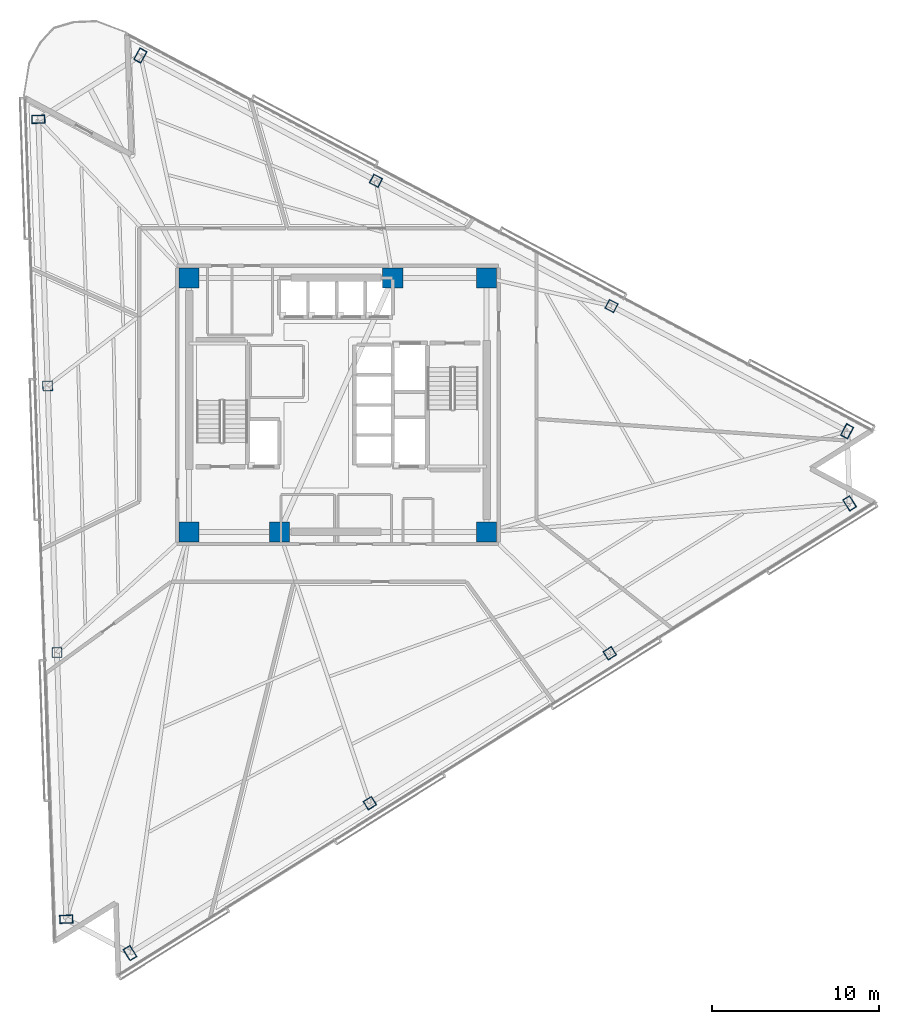
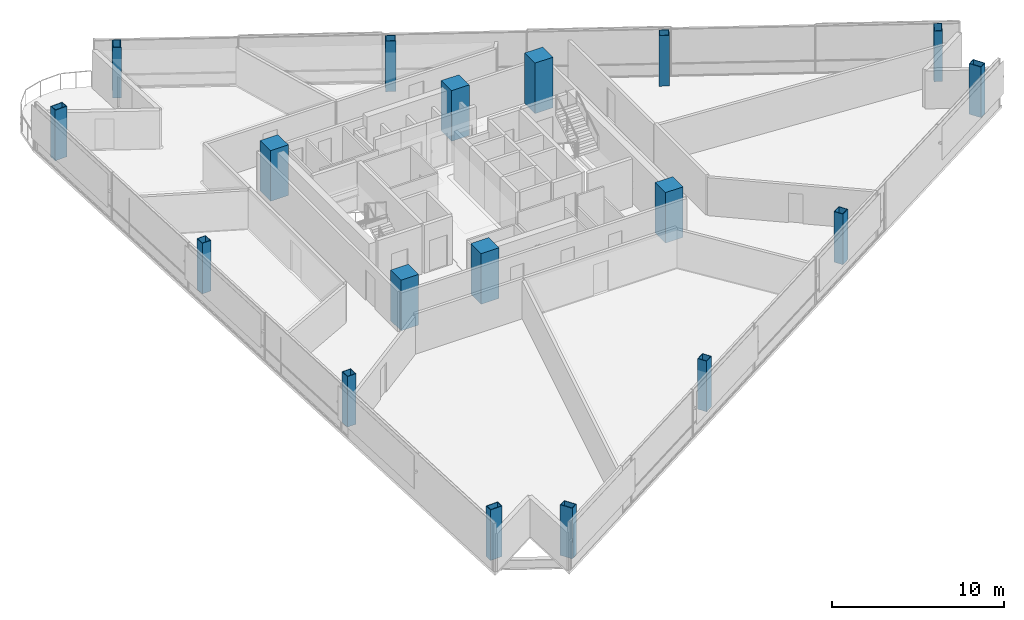
# One storey, part 1 of 21: 18 columns.
"""IFC4 building model written with IfcOpenShell, lengths in metres."""

import ifcopenshell
import ifcopenshell.guid

model = None  # the IFC model being written
_history = None  # IfcOwnerHistory: only IFC2X3 demands one
_inside = {}  # id of a spatial element -> (the spatial element, [elements in it])
_under = {}  # id of a project, library or spatial element -> (it, [spatial elements below it])
_declared = {}  # id of a project -> (the project, [libraries it declares])
_typed = {}  # id of a type object -> (the type object, [elements of that type])
_made_of = {}  # id of a material, layer set ... -> (it, [elements and type objects made of it])


def new_model(schema):
    """Start an empty IFC model of exactly this schema.

    Asked for "IFC4X3", IfcOpenShell would pick the latest addendum, in which some entities
    have other attributes; the version numbers below select the first issue.
    IFC2X3 requires an IfcOwnerHistory on every rooted entity: one is made here for all.
    """
    global model, _history
    if schema == "IFC4X3":
        model = ifcopenshell.file(schema_version=(4, 3, 0, 0))
    else:
        model = ifcopenshell.file(schema=schema)
    _inside.clear()
    _under.clear()
    _declared.clear()
    _typed.clear()
    _made_of.clear()
    _history = None
    if model.schema == "IFC2X3":
        org = make("IfcOrganization", Name="unknown")
        user = make(
            "IfcPersonAndOrganization",
            ThePerson=make("IfcPerson", FamilyName="unknown"),
            TheOrganization=org,
        )
        app = make(
            "IfcApplication",
            ApplicationDeveloper=org,
            Version="unknown",
            ApplicationFullName="unknown",
            ApplicationIdentifier="unknown",
        )
        _history = make(
            "IfcOwnerHistory",
            OwningUser=user,
            OwningApplication=app,
            ChangeAction="ADDED",
            CreationDate=0,
        )
    return model


def make(cls, **values):
    """One entity of the class cls with the attributes given. An attribute that is None is left unset."""
    return model.create_entity(
        cls, **{name: value for name, value in values.items() if value is not None}
    )


def rooted(cls, **values):
    """An entity with a GlobalId (a new one), such as an element, a storey or a relation."""
    return make(cls, GlobalId=ifcopenshell.guid.new(), OwnerHistory=_history, **values)


def si_unit(unit_type, name, prefix=None):
    """IfcSIUnit, for example si_unit("LENGTHUNIT", "METRE", prefix="MILLI")."""
    return make("IfcSIUnit", UnitType=unit_type, Prefix=prefix, Name=name)


def assignment(units):
    """IfcUnitAssignment: the units of a project."""
    return None if units is None else make("IfcUnitAssignment", Units=units)


def point(xyz):
    """IfcCartesianPoint."""
    return None if xyz is None else make("IfcCartesianPoint", Coordinates=xyz)


def direction(xyz):
    """IfcDirection."""
    return None if xyz is None else make("IfcDirection", DirectionRatios=xyz)


def frame(location, z_axis=None, x_axis=None):
    """IfcAxis2Placement3D, a coordinate frame: its origin and axes. An axis left out is left unset."""
    return make(
        "IfcAxis2Placement3D",
        Location=point(location),
        Axis=direction(z_axis),
        RefDirection=direction(x_axis),
    )


def frame_2d(location, x_axis=None):
    """IfcAxis2Placement2D, a coordinate frame in the plane: its origin and x axis."""
    return make(
        "IfcAxis2Placement2D", Location=point(location), RefDirection=direction(x_axis)
    )


def origin():
    """The frame at (0, 0, 0) with its axes left unset."""
    return frame((0.0, 0.0, 0.0))


def origin_2d():
    """The frame at (0, 0) in the plane with its x axis left unset."""
    return frame_2d((0.0, 0.0))


def place(relative_to, where):
    """IfcLocalPlacement: puts the frame where relative to a parent placement (None: the world)."""
    return make(
        "IfcLocalPlacement", PlacementRelTo=relative_to, RelativePlacement=where
    )


def context(
    kind, dimensions, precision=None, world=None, true_north=None, identifier=None
):
    """IfcGeometricRepresentationContext, for example the 3D "Model" context."""
    return make(
        "IfcGeometricRepresentationContext",
        ContextIdentifier=identifier,
        ContextType=kind,
        CoordinateSpaceDimension=dimensions,
        Precision=precision,
        WorldCoordinateSystem=world,
        TrueNorth=true_north,
    )


def subcontext(parent, identifier, kind, view, scale=None):
    """IfcGeometricRepresentationSubContext, for example "Body" below "Model"."""
    return make(
        "IfcGeometricRepresentationSubContext",
        ContextIdentifier=identifier,
        ContextType=kind,
        ParentContext=parent,
        TargetScale=scale,
        TargetView=view,
    )


def project(units=None, contexts=None):
    """IfcProject with its units and contexts."""
    return rooted(
        "IfcProject",
        Name="project",
        RepresentationContexts=contexts,
        UnitsInContext=assignment(units),
    )


def spatial(cls, under=None, at=None, **own):
    """A site, building, storey or space (cls), placed at a placement, below another one or the project."""
    s = rooted(cls, ObjectPlacement=at, **own)
    if under is not None:
        _under.setdefault(under.id(), (under, []))[1].append(s)
    return s


def profile(cls, at=None, kind="AREA", **sizes):
    """A parametric profile (cls). Its sizes go by their IFC names, for example OverallWidth=200.0."""
    return make(cls, ProfileType=kind, Position=at, **sizes)


def rectangle(**sizes):
    """IfcRectangleProfileDef."""
    return profile("IfcRectangleProfileDef", **sizes)


def hollow_rectangle(**sizes):
    """IfcRectangleHollowProfileDef."""
    return profile("IfcRectangleHollowProfileDef", **sizes)


def extrude(swept, where, along, depth):
    """IfcExtrudedAreaSolid: the profile swept, set in the frame where, extruded along a direction by depth."""
    return make(
        "IfcExtrudedAreaSolid",
        SweptArea=swept,
        Position=where,
        ExtrudedDirection=direction(along),
        Depth=depth,
    )


def shape(context_of_items, identifier, shape_type, items):
    """IfcShapeRepresentation: the items that make up one representation, for example the "Body"."""
    return make(
        "IfcShapeRepresentation",
        ContextOfItems=context_of_items,
        RepresentationIdentifier=identifier,
        RepresentationType=shape_type,
        Items=items,
    )


def material(Name=None, Category=None):
    """IfcMaterial."""
    return make("IfcMaterial", Name=Name, Category=Category)


def material_profile(
    of_material, cross_section, Name=None, Category=None, Priority=None
):
    """IfcMaterialProfile: a cross section and its material."""
    return make(
        "IfcMaterialProfile",
        Name=Name,
        Material=of_material,
        Profile=cross_section,
        Priority=Priority,
        Category=Category,
    )


def profile_set(profiles, Name=None, composite=None):
    """IfcMaterialProfileSet."""
    return make(
        "IfcMaterialProfileSet",
        Name=Name,
        MaterialProfiles=profiles,
        CompositeProfile=composite,
    )


def made_of(thing, what):
    """Note that an element or type object is made of a material, layer set ...; save() writes the relation."""
    if what is not None:
        _made_of.setdefault(what.id(), (what, []))[1].append(thing)
    return thing


def type_object(cls, material=None, **own):
    """A type object (cls), such as IfcWallType, which elements share."""
    return made_of(rooted(cls, **own), material)


def element(
    cls,
    number,
    at=None,
    inside=None,
    cuts=None,
    type_object=None,
    material=None,
    context=None,
    identifier="Body",
    shape_type=None,
    held_by="IfcProductDefinitionShape",
    body=None,
    shapes=None,
    **own,
):
    """One element of the class cls, such as IfcWall. Its Tag is "e" and its number.

    at: its placement. inside: the storey or other place that contains it. cuts: it is an
    opening in that element (IfcRelVoidsElement). A single representation is given by context,
    identifier, shape_type and body (its items); several are given by shapes. held_by: the class
    of the entity that holds the representations. save() writes the other relations.
    """
    e = rooted(cls, Tag="e%d" % number, ObjectPlacement=at, **own)
    if body is not None:
        shapes = [shape(context, identifier, shape_type, body)]
    if shapes is not None:
        e.Representation = make(held_by, Representations=shapes)
    if inside is not None:
        _inside.setdefault(inside.id(), (inside, []))[1].append(e)
    if cuts is not None:
        rooted(
            "IfcRelVoidsElement", RelatingBuildingElement=cuts, RelatedOpeningElement=e
        )
    if type_object is not None:
        _typed.setdefault(type_object.id(), (type_object, []))[1].append(e)
    return made_of(e, material)


def aggregate(whole, parts):
    """IfcRelAggregates: a whole, such as a stair, and the parts it consists of."""
    return rooted("IfcRelAggregates", RelatingObject=whole, RelatedObjects=parts)


def save(model, path):
    """Write the relations noted so far, then the file.

    IfcRelAggregates (storeys below a building ...), IfcRelContainedInSpatialStructure (elements
    in a storey), IfcRelDefinesByType, IfcRelAssociatesMaterial and IfcRelDeclares: one each for
    every whole, place, type object, material and project.
    """
    for whole, parts in _under.values():
        aggregate(whole, parts)
    for where, things in _inside.values():
        rooted(
            "IfcRelContainedInSpatialStructure",
            RelatedElements=things,
            RelatingStructure=where,
        )
    for kind, things in _typed.values():
        rooted("IfcRelDefinesByType", RelatedObjects=things, RelatingType=kind)
    for what, things in _made_of.values():
        rooted("IfcRelAssociatesMaterial", RelatedObjects=things, RelatingMaterial=what)
    for by, libraries in _declared.values():
        rooted("IfcRelDeclares", RelatingContext=by, RelatedDefinitions=libraries)
    model.write(path)


model = new_model("IFC4")

# Units and contexts
model_context = context("Model", 3, precision=1e-05, world=origin(), true_north=direction((0.0, 1.0)))
body_context = subcontext(model_context, "Body", "Model", "MODEL_VIEW")
ifc_project = project(units=[si_unit("LENGTHUNIT", "METRE"), si_unit("AREAUNIT", "SQUARE_METRE"), si_unit("VOLUMEUNIT", "CUBIC_METRE"), si_unit("PLANEANGLEUNIT", "RADIAN"), si_unit("MASSUNIT", "GRAM", prefix="KILO")], contexts=[model_context])

# Site, building, storey
site_placement = place(None, origin())
site = spatial("IfcSite", under=ifc_project, at=site_placement, CompositionType="ELEMENT")
building_placement = place(site_placement, origin())
building = spatial("IfcBuilding", under=site, at=building_placement, Name="Tharavind Bronze Gate", CompositionType="ELEMENT")
storey_placement = place(building_placement, frame((0.0, 0.0, 142.39990234375)))
storey = spatial("IfcBuildingStorey", under=building, at=storey_placement, Name="L36", CompositionType="ELEMENT", Elevation=142.39990234375)

# Columns
ifc_material_1 = material(Name="Steel S460", Category="steel")
ifc_material_profile_1 = material_profile(ifc_material_1, hollow_rectangle(XDim=0.5, YDim=0.800048828125, WallThickness=0.0400390625, at=origin_2d()), Name="RHS800X500X40")
ifc_profile_set_1 = profile_set([ifc_material_profile_1], Name="Steel S460")
column_type_1 = type_object("IfcColumnType", Name="CORNER NOTCH COLUMN RHS800X500", PredefinedType="COLUMN", material=ifc_profile_set_1)
for number, where, z_axis, x_axis, name in (
    (1, (-17.9248046875, 17.09228515625, 0.0), (0.0, 0.0, 1.0), (-0.034899496703, 0.999390827019, 0.0), "L36 perimeter column S1C1"),
    (2, (-16.253662109375, -30.767578125, 0.0), (0.0, 0.0, 1.0), (-0.034899496703, 0.999390827019, 0.0), "L36 perimeter column S1C4"),
    (3, (-12.439208984375, -32.7958984375, 0.0), (0.0, 0.0, 1.0), (0.848047171272, 0.529920744356, 0.0), "L36 perimeter column S2C1"),
    (4, (30.615478515625, -5.89208984375, 0.0), (0.0, 0.0, 1.0), (0.848047171272, 0.529920744356, 0.0), "L36 perimeter column S2C4"),
    (5, (30.46484375, -1.57470703125, 0.0), (0.0, 0.0, 1.0), (-0.88294841224, 0.469470021751, 0.0), "L36 perimeter column S3C1"),
    (6, (-11.819091796875, 20.90771484375, 0.0), (0.0, 0.0, 1.0), (-0.88294841224, 0.469470021751, 0.0), "L36 perimeter column S3C4"),
):
    element("IfcColumn", number, at=place(storey_placement, frame(where, z_axis=z_axis, x_axis=x_axis)), inside=storey, type_object=column_type_1, Name=name, PredefinedType="COLUMN", context=body_context, shape_type="SweptSolid", body=[
        extrude(hollow_rectangle(XDim=0.5, YDim=0.800048828125, WallThickness=0.0400390625, at=origin_2d()), origin(), (0.0, 0.0, 1.0), 3.60009765625),
    ])
ifc_material_2 = material(Name="Concrete C60/75", Category="concrete")
ifc_material_profile_2 = material_profile(ifc_material_2, rectangle(XDim=1.199951171875, YDim=1.199951171875, at=origin_2d()), Name="RCCOL1200")
ifc_profile_set_2 = profile_set([ifc_material_profile_2], Name="Concrete C60/75")
column_type_2 = type_object("IfcColumnType", Name="MEGA CORE COLUMN 1200", PredefinedType="COLUMN", material=ifc_profile_set_2)
for number, where, z_axis, x_axis, name in (
    (7, (-8.89990234375, -7.60009765625, 0.0), (0.0, 0.0, 1.0), (1.0, 0.0, 0.0), "L36 core mega column MC1"),
    (8, (-3.5, -7.60009765625, 0.0), (0.0, 0.0, 1.0), (1.0, 0.0, 0.0), "L36 core mega column MC2"),
    (9, (8.89990234375, -7.60009765625, 0.0), (0.0, 0.0, 1.0), (1.0, 0.0, 0.0), "L36 core mega column MC3"),
    (10, (8.89990234375, 7.60009765625, 0.0), (0.0, 0.0, 1.0), (1.0, 0.0, 0.0), "L36 core mega column MC4"),
    (11, (3.280029296875, 7.60009765625, 0.0), (0.0, 0.0, 1.0), (1.0, 0.0, 0.0), "L36 core mega column MC5"),
    (12, (-8.89990234375, 7.60009765625, 0.0), (0.0, 0.0, 1.0), (1.0, 0.0, 0.0), "L36 core mega column MC6"),
):
    element("IfcColumn", number, at=place(storey_placement, frame(where, z_axis=z_axis, x_axis=x_axis)), inside=storey, type_object=column_type_2, Name=name, PredefinedType="COLUMN", context=body_context, shape_type="SweptSolid", body=[
        extrude(rectangle(XDim=1.199951171875, YDim=1.199951171875, at=origin_2d()), origin(), (0.0, 0.0, 1.0), 3.60009765625),
    ])
ifc_material_profile_3 = material_profile(ifc_material_1, hollow_rectangle(XDim=0.60009765625, YDim=0.60009765625, WallThickness=0.035888671875, at=origin_2d()), Name="SHS600X36")
ifc_profile_set_3 = profile_set([ifc_material_profile_3], Name="Steel S460")
column_type_3 = type_object("IfcColumnType", Name="PERIMETER BOX COLUMN SHS600", PredefinedType="COLUMN", material=ifc_profile_set_3)
for number, where, z_axis, x_axis, name in (
    (13, (-17.367919921875, 1.138916015625, 0.0), (0.0, 0.0, 1.0), (-0.034899496703, 0.999390827019, 0.0), "L36 perimeter column S1C2"),
    (14, (-16.810791015625, -14.814208984375, 0.0), (0.0, 0.0, 1.0), (-0.034899496703, 0.999390827019, 0.0), "L36 perimeter column S1C3"),
    (15, (1.912353515625, -23.827880859375, 0.0), (0.0, 0.0, 1.0), (0.848047171272, 0.529920744356, 0.0), "L36 perimeter column S2C2"),
    (16, (16.263916015625, -14.860107421875, 0.0), (0.0, 0.0, 1.0), (0.848047171272, 0.529920744356, 0.0), "L36 perimeter column S2C3"),
    (17, (16.3701171875, 5.91943359375, 0.0), (0.0, 0.0, 1.0), (-0.88294841224, 0.469470021751, 0.0), "L36 perimeter column S3C2"),
    (18, (2.275634765625, 13.41357421875, 0.0), (0.0, 0.0, 1.0), (-0.88294841224, 0.469470021751, 0.0), "L36 perimeter column S3C3"),
):
    element("IfcColumn", number, at=place(storey_placement, frame(where, z_axis=z_axis, x_axis=x_axis)), inside=storey, type_object=column_type_3, Name=name, PredefinedType="COLUMN", context=body_context, shape_type="SweptSolid", body=[
        extrude(hollow_rectangle(XDim=0.60009765625, YDim=0.60009765625, WallThickness=0.035888671875, at=origin_2d()), origin(), (0.0, 0.0, 1.0), 3.60009765625),
    ])

save(model, "model.ifc")
